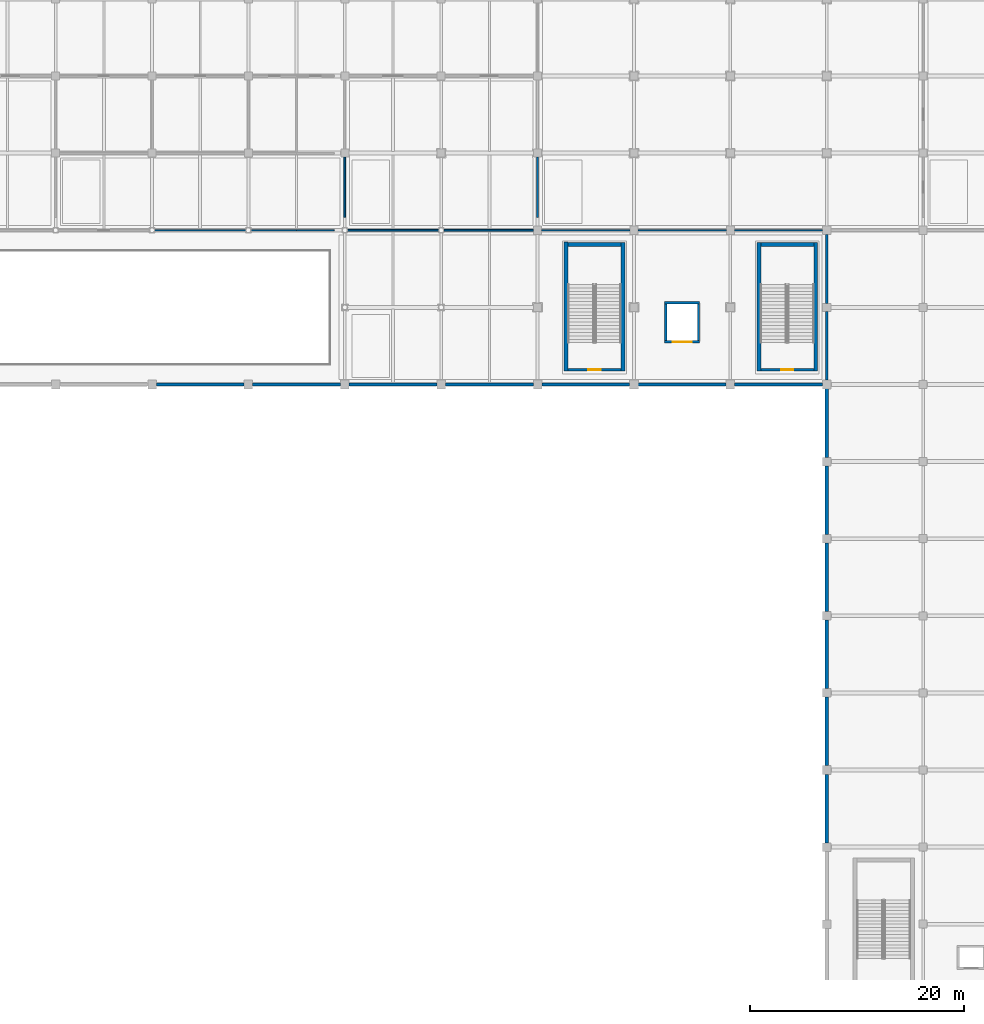
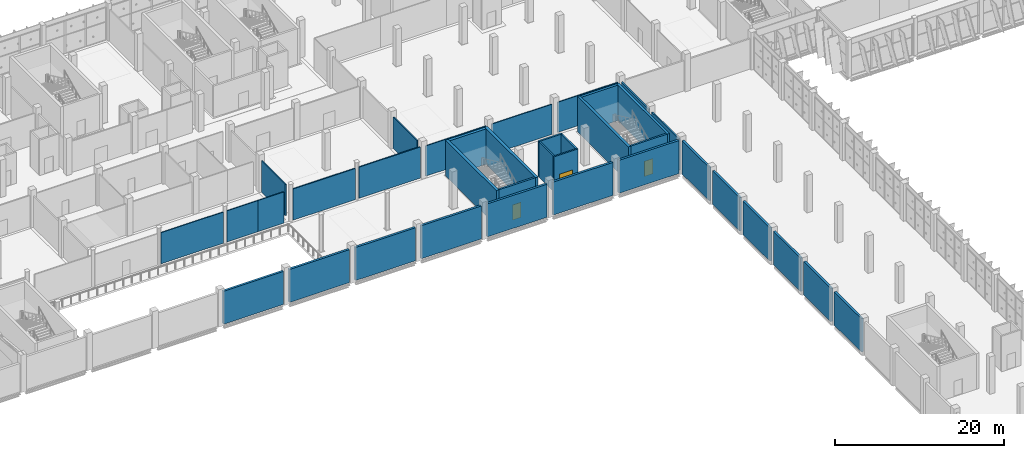
# One storey, part 134 of 189: 37 walls, 3 doors, 3 openings.
"""IFC4 building model written with IfcOpenShell, lengths in metres."""

import ifcopenshell
import ifcopenshell.guid

model = None  # the IFC model being written
_history = None  # IfcOwnerHistory: only IFC2X3 demands one
_inside = {}  # id of a spatial element -> (the spatial element, [elements in it])
_under = {}  # id of a project, library or spatial element -> (it, [spatial elements below it])
_declared = {}  # id of a project -> (the project, [libraries it declares])
_typed = {}  # id of a type object -> (the type object, [elements of that type])
_made_of = {}  # id of a material, layer set ... -> (it, [elements and type objects made of it])


def new_model(schema):
    """Start an empty IFC model of exactly this schema.

    Asked for "IFC4X3", IfcOpenShell would pick the latest addendum, in which some entities
    have other attributes; the version numbers below select the first issue.
    IFC2X3 requires an IfcOwnerHistory on every rooted entity: one is made here for all.
    """
    global model, _history
    if schema == "IFC4X3":
        model = ifcopenshell.file(schema_version=(4, 3, 0, 0))
    else:
        model = ifcopenshell.file(schema=schema)
    _inside.clear()
    _under.clear()
    _declared.clear()
    _typed.clear()
    _made_of.clear()
    _history = None
    if model.schema == "IFC2X3":
        org = make("IfcOrganization", Name="unknown")
        user = make(
            "IfcPersonAndOrganization",
            ThePerson=make("IfcPerson", FamilyName="unknown"),
            TheOrganization=org,
        )
        app = make(
            "IfcApplication",
            ApplicationDeveloper=org,
            Version="unknown",
            ApplicationFullName="unknown",
            ApplicationIdentifier="unknown",
        )
        _history = make(
            "IfcOwnerHistory",
            OwningUser=user,
            OwningApplication=app,
            ChangeAction="ADDED",
            CreationDate=0,
        )
    return model


def make(cls, **values):
    """One entity of the class cls with the attributes given. An attribute that is None is left unset."""
    return model.create_entity(
        cls, **{name: value for name, value in values.items() if value is not None}
    )


def rooted(cls, **values):
    """An entity with a GlobalId (a new one), such as an element, a storey or a relation."""
    return make(cls, GlobalId=ifcopenshell.guid.new(), OwnerHistory=_history, **values)


def si_unit(unit_type, name, prefix=None):
    """IfcSIUnit, for example si_unit("LENGTHUNIT", "METRE", prefix="MILLI")."""
    return make("IfcSIUnit", UnitType=unit_type, Prefix=prefix, Name=name)


def assignment(units):
    """IfcUnitAssignment: the units of a project."""
    return None if units is None else make("IfcUnitAssignment", Units=units)


def point(xyz):
    """IfcCartesianPoint."""
    return None if xyz is None else make("IfcCartesianPoint", Coordinates=xyz)


def direction(xyz):
    """IfcDirection."""
    return None if xyz is None else make("IfcDirection", DirectionRatios=xyz)


def frame(location, z_axis=None, x_axis=None):
    """IfcAxis2Placement3D, a coordinate frame: its origin and axes. An axis left out is left unset."""
    return make(
        "IfcAxis2Placement3D",
        Location=point(location),
        Axis=direction(z_axis),
        RefDirection=direction(x_axis),
    )


def frame_2d(location, x_axis=None):
    """IfcAxis2Placement2D, a coordinate frame in the plane: its origin and x axis."""
    return make(
        "IfcAxis2Placement2D", Location=point(location), RefDirection=direction(x_axis)
    )


def origin():
    """The frame at (0, 0, 0) with its axes left unset."""
    return frame((0.0, 0.0, 0.0))


def place(relative_to, where):
    """IfcLocalPlacement: puts the frame where relative to a parent placement (None: the world)."""
    return make(
        "IfcLocalPlacement", PlacementRelTo=relative_to, RelativePlacement=where
    )


def context(
    kind, dimensions, precision=None, world=None, true_north=None, identifier=None
):
    """IfcGeometricRepresentationContext, for example the 3D "Model" context."""
    return make(
        "IfcGeometricRepresentationContext",
        ContextIdentifier=identifier,
        ContextType=kind,
        CoordinateSpaceDimension=dimensions,
        Precision=precision,
        WorldCoordinateSystem=world,
        TrueNorth=true_north,
    )


def subcontext(parent, identifier, kind, view, scale=None):
    """IfcGeometricRepresentationSubContext, for example "Body" below "Model"."""
    return make(
        "IfcGeometricRepresentationSubContext",
        ContextIdentifier=identifier,
        ContextType=kind,
        ParentContext=parent,
        TargetScale=scale,
        TargetView=view,
    )


def project(units=None, contexts=None):
    """IfcProject with its units and contexts."""
    return rooted(
        "IfcProject",
        Name="project",
        RepresentationContexts=contexts,
        UnitsInContext=assignment(units),
    )


def spatial(cls, under=None, at=None, **own):
    """A site, building, storey or space (cls), placed at a placement, below another one or the project."""
    s = rooted(cls, ObjectPlacement=at, **own)
    if under is not None:
        _under.setdefault(under.id(), (under, []))[1].append(s)
    return s


def profile(cls, at=None, kind="AREA", **sizes):
    """A parametric profile (cls). Its sizes go by their IFC names, for example OverallWidth=200.0."""
    return make(cls, ProfileType=kind, Position=at, **sizes)


def rectangle(**sizes):
    """IfcRectangleProfileDef."""
    return profile("IfcRectangleProfileDef", **sizes)


def extrude(swept, where, along, depth):
    """IfcExtrudedAreaSolid: the profile swept, set in the frame where, extruded along a direction by depth."""
    return make(
        "IfcExtrudedAreaSolid",
        SweptArea=swept,
        Position=where,
        ExtrudedDirection=direction(along),
        Depth=depth,
    )


def shape(context_of_items, identifier, shape_type, items):
    """IfcShapeRepresentation: the items that make up one representation, for example the "Body"."""
    return make(
        "IfcShapeRepresentation",
        ContextOfItems=context_of_items,
        RepresentationIdentifier=identifier,
        RepresentationType=shape_type,
        Items=items,
    )


def material(Name=None, Category=None):
    """IfcMaterial."""
    return make("IfcMaterial", Name=Name, Category=Category)


def layer(
    of_material, thickness, ventilated=None, Name=None, Category=None, Priority=None
):
    """IfcMaterialLayer: one layer of a wall or slab, of a material (None: an air gap)."""
    return make(
        "IfcMaterialLayer",
        Material=of_material,
        LayerThickness=thickness,
        IsVentilated=ventilated,
        Name=Name,
        Category=Category,
        Priority=Priority,
    )


def layer_set(layers, Name=None):
    """IfcMaterialLayerSet."""
    return make("IfcMaterialLayerSet", MaterialLayers=layers, LayerSetName=Name)


def made_of(thing, what):
    """Note that an element or type object is made of a material, layer set ...; save() writes the relation."""
    if what is not None:
        _made_of.setdefault(what.id(), (what, []))[1].append(thing)
    return thing


def type_object(cls, material=None, **own):
    """A type object (cls), such as IfcWallType, which elements share."""
    return made_of(rooted(cls, **own), material)


def element(
    cls,
    number,
    at=None,
    inside=None,
    cuts=None,
    type_object=None,
    material=None,
    context=None,
    identifier="Body",
    shape_type=None,
    held_by="IfcProductDefinitionShape",
    body=None,
    shapes=None,
    **own,
):
    """One element of the class cls, such as IfcWall. Its Tag is "e" and its number.

    at: its placement. inside: the storey or other place that contains it. cuts: it is an
    opening in that element (IfcRelVoidsElement). A single representation is given by context,
    identifier, shape_type and body (its items); several are given by shapes. held_by: the class
    of the entity that holds the representations. save() writes the other relations.
    """
    e = rooted(cls, Tag="e%d" % number, ObjectPlacement=at, **own)
    if body is not None:
        shapes = [shape(context, identifier, shape_type, body)]
    if shapes is not None:
        e.Representation = make(held_by, Representations=shapes)
    if inside is not None:
        _inside.setdefault(inside.id(), (inside, []))[1].append(e)
    if cuts is not None:
        rooted(
            "IfcRelVoidsElement", RelatingBuildingElement=cuts, RelatedOpeningElement=e
        )
    if type_object is not None:
        _typed.setdefault(type_object.id(), (type_object, []))[1].append(e)
    return made_of(e, material)


def fill(opening, filler):
    """IfcRelFillsElement: the door or window that sits in an opening."""
    return rooted(
        "IfcRelFillsElement",
        RelatingOpeningElement=opening,
        RelatedBuildingElement=filler,
    )


def aggregate(whole, parts):
    """IfcRelAggregates: a whole, such as a stair, and the parts it consists of."""
    return rooted("IfcRelAggregates", RelatingObject=whole, RelatedObjects=parts)


def save(model, path):
    """Write the relations noted so far, then the file.

    IfcRelAggregates (storeys below a building ...), IfcRelContainedInSpatialStructure (elements
    in a storey), IfcRelDefinesByType, IfcRelAssociatesMaterial and IfcRelDeclares: one each for
    every whole, place, type object, material and project.
    """
    for whole, parts in _under.values():
        aggregate(whole, parts)
    for where, things in _inside.values():
        rooted(
            "IfcRelContainedInSpatialStructure",
            RelatedElements=things,
            RelatingStructure=where,
        )
    for kind, things in _typed.values():
        rooted("IfcRelDefinesByType", RelatedObjects=things, RelatingType=kind)
    for what, things in _made_of.values():
        rooted("IfcRelAssociatesMaterial", RelatedObjects=things, RelatingMaterial=what)
    for by, libraries in _declared.values():
        rooted("IfcRelDeclares", RelatingContext=by, RelatedDefinitions=libraries)
    model.write(path)


model = new_model("IFC4")

# Units and contexts
model_context = context("Model", 3, precision=1e-05, world=origin(), true_north=direction((0.0, 1.0)))
body_context = subcontext(model_context, "Body", "Model", "MODEL_VIEW")
ifc_project = project(units=[si_unit("LENGTHUNIT", "METRE"), si_unit("AREAUNIT", "SQUARE_METRE"), si_unit("VOLUMEUNIT", "CUBIC_METRE"), si_unit("PLANEANGLEUNIT", "RADIAN"), si_unit("MASSUNIT", "GRAM", prefix="KILO")], contexts=[model_context])

# Site, building, storey
site_placement = place(None, origin())
site = spatial("IfcSite", under=ifc_project, at=site_placement, CompositionType="ELEMENT")
building_placement = place(site_placement, origin())
building = spatial("IfcBuilding", under=site, at=building_placement, Name="Celestram Park Convention Centre", CompositionType="ELEMENT")
storey_placement = place(building_placement, frame((0.0, 0.0, 5.39990234375)))
storey = spatial("IfcBuildingStorey", under=building, at=storey_placement, Name="L01", CompositionType="ELEMENT", Elevation=5.39990234375)

# Walls
ifc_material_1 = material(Name="Double-Stud Acoustic Gypsum Assembly", Category="gypsum")
ifc_layer_1 = layer(ifc_material_1, 0.199951171875)
ifc_layer_set_1 = layer_set([ifc_layer_1], Name="Double-Stud Acoustic Gypsum Assembly")
wall_type_1 = type_object("IfcWallType", Name="ARC-WL-ACO200", PredefinedType="PARTITIONING", material=ifc_layer_set_1)
wall_1_placement = place(storey_placement, frame((126.0, 108.39794921875, 0.0), z_axis=(0.0, 0.0, 1.0), x_axis=(0.0, 1.0, 0.0)))
element("IfcWall", 1, at=wall_1_placement, inside=storey, type_object=wall_type_1, Name="Interior partition WL-L01-IN0765", PredefinedType="PARTITIONING", context=body_context, shape_type="SweptSolid", body=[
    extrude(rectangle(XDim=6.428955078125, YDim=0.199951171875, at=frame_2d((3.21435546875, 0.0))), origin(), (0.0, 0.0, 1.0), 4.508056640625),
])
wall_2_placement = place(storey_placement, frame((126.0, 115.572998046875, 0.0), z_axis=(0.0, 0.0, 1.0), x_axis=(0.0, 1.0, 0.0)))
element("IfcWall", 2, at=wall_2_placement, inside=storey, type_object=wall_type_1, Name="Interior partition WL-L01-IN0766", PredefinedType="PARTITIONING", context=body_context, shape_type="SweptSolid", body=[
    extrude(rectangle(XDim=6.4541015625, YDim=0.199951171875, at=frame_2d((3.22705078125, 0.0))), origin(), (0.0, 0.0, 1.0), 4.508056640625),
])

# Wall, opening, door
ifc_material_2 = material(Name="Concrete Block Masonry C25/30", Category="masonry")
ifc_layer_2 = layer(ifc_material_2, 0.25)
ifc_layer_set_2 = layer_set([ifc_layer_2], Name="Concrete Block Masonry C25/30")
wall_type_2 = type_object("IfcWallType", Name="ARC-WL-COR250", PredefinedType="STANDARD", material=ifc_layer_set_2)
wall_3_placement = place(storey_placement, frame((101.840087890625, 109.375, 0.0), z_axis=(0.0, 0.0, 1.0), x_axis=(1.0, 0.0, 0.0)))
wall_3 = element("IfcWall", 3, at=wall_3_placement, inside=storey, type_object=wall_type_2, Name="Core C3 stair entrance wall", PredefinedType="STANDARD", context=body_context, shape_type="SweptSolid", body=[
    extrude(rectangle(XDim=4.9599609375, YDim=0.25, at=frame_2d((2.47998046875, 0.0))), origin(), (0.0, 0.0, 1.0), 5.1201171875),
])
opening_1_placement = place(wall_3_placement, frame((1.905029296875, 0.0, 0.0)))
opening_1 = element("IfcOpeningElement", 4, at=opening_1_placement, cuts=wall_3, Name="Opening D-ST1", PredefinedType="OPENING", context=body_context, shape_type="SweptSolid", body=[
    extrude(rectangle(XDim=1.14990234375, YDim=2.199951171875, at=frame_2d((0.574951171875, 1.10009765625))), frame((0.0, 0.135009765625, 0.0), z_axis=(0.0, -1.0, 0.0), x_axis=(1.0, 0.0, 0.0)), (0.0, 0.0, 1.0), 0.27001953125),
])
ifc_material_3 = material(Name="Fire-Rated Hollow Metal Steel ASTM A653", Category="steel")
door_type_1 = type_object("IfcDoorType", Name="ARC-DR-ST115", OperationType="NOTDEFINED", PredefinedType="DOOR", material=ifc_material_3)
door_1_placement = place(opening_1_placement, origin())
door_1 = element("IfcDoor", 5, at=door_1_placement, inside=storey, type_object=door_type_1, Name="Exit stair ST-03 fire door", OperationType="SINGLE_SWING_LEFT", OverallHeight=2.199951171875, OverallWidth=1.14990234375, PredefinedType="DOOR", context=body_context, shape_type="SweptSolid", body=[
    extrude(rectangle(XDim=1.14990234375, YDim=2.199951171875, at=frame_2d((0.574951171875, 1.10009765625))), frame((0.0, 0.02490234375, 0.0), z_axis=(0.0, -1.0, 0.0), x_axis=(1.0, 0.0, 0.0)), (0.0, 0.0, 1.0), 0.050048828125),
])
fill(opening_1, door_1)

wall_4_placement = place(storey_placement, frame((119.840087890625, 109.375, 0.0), z_axis=(0.0, 0.0, 1.0), x_axis=(1.0, 0.0, 0.0)))
wall_4 = element("IfcWall", 6, at=wall_4_placement, inside=storey, type_object=wall_type_2, Name="Core S20 stair entrance wall", PredefinedType="STANDARD", context=body_context, shape_type="SweptSolid", body=[
    extrude(rectangle(XDim=4.9599609375, YDim=0.25, at=frame_2d((2.47998046875, 0.0))), origin(), (0.0, 0.0, 1.0), 5.1201171875),
])
opening_2_placement = place(wall_4_placement, frame((1.905029296875, 0.0, 0.0)))
opening_2 = element("IfcOpeningElement", 7, at=opening_2_placement, cuts=wall_4, Name="Opening D-ST1", PredefinedType="OPENING", context=body_context, shape_type="SweptSolid", body=[
    extrude(rectangle(XDim=1.14990234375, YDim=2.199951171875, at=frame_2d((0.574951171875, 1.10009765625))), frame((0.0, 0.135009765625, 0.0), z_axis=(0.0, -1.0, 0.0), x_axis=(1.0, 0.0, 0.0)), (0.0, 0.0, 1.0), 0.27001953125),
])
door_2_placement = place(opening_2_placement, origin())
door_2 = element("IfcDoor", 8, at=door_2_placement, inside=storey, type_object=door_type_1, Name="Exit stair ST-20 fire door", OperationType="SINGLE_SWING_LEFT", OverallHeight=2.199951171875, OverallWidth=1.14990234375, PredefinedType="DOOR", context=body_context, shape_type="SweptSolid", body=[
    extrude(rectangle(XDim=1.14990234375, YDim=2.199951171875, at=frame_2d((0.574951171875, 1.10009765625))), frame((0.0, 0.02490234375, 0.0), z_axis=(0.0, -1.0, 0.0), x_axis=(1.0, 0.0, 0.0)), (0.0, 0.0, 1.0), 0.050048828125),
])
fill(opening_2, door_2)

# Walls
ifc_material_4 = material(Name="Precast Concrete C40/50", Category="concrete")
ifc_layer_3 = layer(ifc_material_4, 0.300048828125)
ifc_layer_set_3 = layer_set([ifc_layer_3], Name="Precast Concrete C40/50")
wall_type_3 = type_object("IfcWallType", Name="ARC-WL-EXT300", PredefinedType="STANDARD", material=ifc_layer_set_3)
for number, where, z_axis, x_axis, name in (
    (9, (126.0, 65.197998046875, 0.0), (0.0, 0.0, 1.0), (0.0, 1.0, 0.0), "Acoustic hall overlook wall WL-L01-EW088"),
    (10, (126.0, 72.39794921875, 0.0), (0.0, 0.0, 1.0), (0.0, 1.0, 0.0), "Acoustic hall overlook wall WL-L01-EW089"),
    (11, (126.0, 79.597900390625, 0.0), (0.0, 0.0, 1.0), (0.0, 1.0, 0.0), "Acoustic hall overlook wall WL-L01-EW090"),
):
    element("IfcWall", number, at=place(storey_placement, frame(where, z_axis=z_axis, x_axis=x_axis)), inside=storey, type_object=wall_type_3, Name=name, PredefinedType="STANDARD", context=body_context, shape_type="SweptSolid", body=[
        extrude(rectangle(XDim=6.404052734375, YDim=0.300048828125, at=frame_2d((3.2021484375, 0.0))), origin(), (0.0, 0.0, 1.0), 4.820068359375),
    ])
wall_5_placement = place(storey_placement, frame((126.0, 86.798095703125, 0.0), z_axis=(0.0, 0.0, 1.0), x_axis=(0.0, 1.0, 0.0)))
element("IfcWall", 12, at=wall_5_placement, inside=storey, type_object=wall_type_3, Name="Acoustic hall overlook wall WL-L01-EW091", PredefinedType="STANDARD", context=body_context, shape_type="SweptSolid", body=[
    extrude(rectangle(XDim=6.40380859375, YDim=0.300048828125, at=frame_2d((3.201904296875, 0.0))), origin(), (0.0, 0.0, 1.0), 4.820068359375),
])
for number, where, z_axis, x_axis, name in (
    (13, (126.0, 93.998046875, 0.0), (0.0, 0.0, 1.0), (0.0, 1.0, 0.0), "Acoustic hall overlook wall WL-L01-EW092"),
    (14, (126.0, 101.197998046875, 0.0), (0.0, 0.0, 1.0), (0.0, 1.0, 0.0), "Acoustic hall overlook wall WL-L01-EW093"),
):
    element("IfcWall", number, at=place(storey_placement, frame(where, z_axis=z_axis, x_axis=x_axis)), inside=storey, type_object=wall_type_3, Name=name, PredefinedType="STANDARD", context=body_context, shape_type="SweptSolid", body=[
        extrude(rectangle(XDim=6.404052734375, YDim=0.300048828125, at=frame_2d((3.2021484375, 0.0))), origin(), (0.0, 0.0, 1.0), 4.820068359375),
    ])
for number, where, z_axis, x_axis, name in (
    (15, (125.60205078125, 108.0, 0.0), (0.0, 0.0, 1.0), (-1.0, 0.0, 0.0), "Acoustic hall overlook wall WL-L01-EW094"),
    (16, (116.60205078125, 108.0, 0.0), (0.0, 0.0, 1.0), (-1.0, 0.0, 0.0), "Acoustic hall overlook wall WL-L01-EW095"),
    (17, (107.60205078125, 108.0, 0.0), (0.0, 0.0, 1.0), (-1.0, 0.0, 0.0), "Acoustic hall overlook wall WL-L01-EW096"),
    (18, (98.60205078125, 108.0, 0.0), (0.0, 0.0, 1.0), (-1.0, 0.0, 0.0), "Acoustic hall overlook wall WL-L01-EW097"),
    (19, (89.60205078125, 108.0, 0.0), (0.0, 0.0, 1.0), (-1.0, 0.0, 0.0), "Acoustic hall overlook wall WL-L01-EW098"),
    (20, (80.60205078125, 108.0, 0.0), (0.0, 0.0, 1.0), (-1.0, 0.0, 0.0), "Acoustic hall overlook wall WL-L01-EW099"),
    (21, (71.60205078125, 108.0, 0.0), (0.0, 0.0, 1.0), (-1.0, 0.0, 0.0), "Acoustic hall overlook wall WL-L01-EW100"),
):
    element("IfcWall", number, at=place(storey_placement, frame(where, z_axis=z_axis, x_axis=x_axis)), inside=storey, type_object=wall_type_3, Name=name, PredefinedType="STANDARD", context=body_context, shape_type="SweptSolid", body=[
        extrude(rectangle(XDim=8.2041015625, YDim=0.300048828125, at=frame_2d((4.10205078125, 0.0))), origin(), (0.0, 0.0, 1.0), 4.76416015625),
    ])
ifc_material_5 = material(Name="Standard Gypsum & Steel Stud 120 mm", Category="steel")
ifc_layer_4 = layer(ifc_material_5, 0.1201171875)
ifc_layer_set_4 = layer_set([ifc_layer_4], Name="Standard Gypsum & Steel Stud 120 mm")
wall_type_4 = type_object("IfcWallType", Name="ARC-WL-PRT120", PredefinedType="PARTITIONING", material=ifc_layer_set_4)
wall_6_placement = place(storey_placement, frame((63.25, 122.39990234375, 0.0), z_axis=(0.0, 0.0, 1.0), x_axis=(1.0, 0.0, 0.0)))
element("IfcWall", 22, at=wall_6_placement, inside=storey, type_object=wall_type_4, Name="Interior partition WL-L01-IN0697", PredefinedType="PARTITIONING", context=body_context, shape_type="SweptSolid", body=[
    extrude(rectangle(XDim=8.5, YDim=0.1201171875, at=frame_2d((4.25, 0.0))), origin(), (0.0, 0.0, 1.0), 4.498046875),
])
wall_7_placement = place(storey_placement, frame((72.25, 122.39990234375, 0.0), z_axis=(0.0, 0.0, 1.0), x_axis=(1.0, 0.0, 0.0)))
element("IfcWall", 23, at=wall_7_placement, inside=storey, type_object=wall_type_4, Name="Interior partition WL-L01-IN0698", PredefinedType="PARTITIONING", context=body_context, shape_type="SweptSolid", body=[
    extrude(rectangle(XDim=4.25, YDim=0.1201171875, at=frame_2d((2.125, 0.0))), origin(), (0.0, 0.0, 1.0), 4.498046875),
])
wall_8_placement = place(storey_placement, frame((76.5, 122.39990234375, 0.0), z_axis=(0.0, 0.0, 1.0), x_axis=(1.0, 0.0, 0.0)))
element("IfcWall", 24, at=wall_8_placement, inside=storey, type_object=wall_type_4, Name="Interior partition WL-L01-IN0699", PredefinedType="PARTITIONING", context=body_context, shape_type="SweptSolid", body=[
    extrude(rectangle(XDim=3.5, YDim=0.1201171875, at=frame_2d((1.75, 0.0))), origin(), (0.0, 0.0, 1.0), 4.498046875),
])
for number, where, z_axis, x_axis, name in (
    (25, (99.373046875, 122.39990234375, 0.0), (0.0, 0.0, 1.0), (1.0, 0.0, 0.0), "Interior partition WL-L01-IN0702"),
    (26, (108.373046875, 122.39990234375, 0.0), (0.0, 0.0, 1.0), (1.0, 0.0, 0.0), "Interior partition WL-L01-IN0703"),
    (27, (117.373046875, 122.39990234375, 0.0), (0.0, 0.0, 1.0), (1.0, 0.0, 0.0), "Interior partition WL-L01-IN0704"),
):
    element("IfcWall", number, at=place(storey_placement, frame(where, z_axis=z_axis, x_axis=x_axis)), inside=storey, type_object=wall_type_4, Name=name, PredefinedType="PARTITIONING", context=body_context, shape_type="SweptSolid", body=[
        extrude(rectangle(XDim=8.25390625, YDim=0.1201171875, at=frame_2d((4.126953125, 0.0))), origin(), (0.0, 0.0, 1.0), 4.358154296875),
    ])
ifc_material_6 = material(Name="Acoustic Gypsum & Steel Stud 160 mm", Category="steel")
ifc_layer_5 = layer(ifc_material_6, 0.159912109375)
ifc_layer_set_5 = layer_set([ifc_layer_5], Name="Acoustic Gypsum & Steel Stud 160 mm")
wall_type_5 = type_object("IfcWallType", Name="ARC-WL-PRT160", PredefinedType="PARTITIONING", material=ifc_layer_set_5)
wall_9_placement = place(storey_placement, frame((81.25, 122.39990234375, 0.0), z_axis=(0.0, 0.0, 1.0), x_axis=(1.0, 0.0, 0.0)))
element("IfcWall", 28, at=wall_9_placement, inside=storey, type_object=wall_type_5, Name="Interior partition WL-L01-IN0700", PredefinedType="PARTITIONING", context=body_context, shape_type="SweptSolid", body=[
    extrude(rectangle(XDim=8.5, YDim=0.159912109375, at=frame_2d((4.25, 0.0))), origin(), (0.0, 0.0, 1.0), 4.498046875),
])
wall_10_placement = place(storey_placement, frame((90.25, 122.39990234375, 0.0), z_axis=(0.0, 0.0, 1.0), x_axis=(1.0, 0.0, 0.0)))
element("IfcWall", 29, at=wall_10_placement, inside=storey, type_object=wall_type_5, Name="Interior partition WL-L01-IN0701", PredefinedType="PARTITIONING", context=body_context, shape_type="SweptSolid", body=[
    extrude(rectangle(XDim=8.376953125, YDim=0.159912109375, at=frame_2d((4.1884765625, 0.0))), origin(), (0.0, 0.0, 1.0), 4.498046875),
])
for number, where, z_axis, x_axis, name in (
    (30, (81.0, 123.60009765625, 0.0), (0.0, 0.0, 1.0), (0.0, 1.0, 0.0), "Interior partition WL-L01-IN0755"),
    (31, (99.0, 123.60009765625, 0.0), (0.0, 0.0, 1.0), (0.0, 1.0, 0.0), "Interior partition WL-L01-IN0761"),
):
    element("IfcWall", number, at=place(storey_placement, frame(where, z_axis=z_axis, x_axis=x_axis)), inside=storey, type_object=wall_type_5, Name=name, PredefinedType="PARTITIONING", context=body_context, shape_type="SweptSolid", body=[
        extrude(rectangle(XDim=5.626953125, YDim=0.159912109375, at=frame_2d((2.8134765625, 0.0))), origin(), (0.0, 0.0, 1.0), 4.508056640625),
    ])

# Wall, opening, door
ifc_layer_6 = layer(ifc_material_2, 0.219970703125)
ifc_layer_set_6 = layer_set([ifc_layer_6], Name="Concrete Block Masonry C25/30")
wall_type_6 = type_object("IfcWallType", Name="ARC-WL-SHF220", PredefinedType="STANDARD", material=ifc_layer_set_6)
wall_11_placement = place(storey_placement, frame((110.8701171875, 111.97998046875, 0.0), z_axis=(0.0, 0.0, 1.0), x_axis=(1.0, 0.0, 0.0)))
wall_11 = element("IfcWall", 32, at=wall_11_placement, inside=storey, type_object=wall_type_6, Name="Lift LG-01 shaft wall S", PredefinedType="STANDARD", context=body_context, shape_type="SweptSolid", body=[
    extrude(rectangle(XDim=3.259765625, YDim=0.219970703125, at=frame_2d((1.6298828125, 0.0))), origin(), (0.0, 0.0, 1.0), 5.1201171875),
])
opening_3_placement = place(wall_11_placement, frame((0.72998046875, 0.0, 0.0)))
opening_3 = element("IfcOpeningElement", 33, at=opening_3_placement, cuts=wall_11, Name="Opening LD-02", PredefinedType="OPENING", context=body_context, shape_type="SweptSolid", body=[
    extrude(rectangle(XDim=1.800048828125, YDim=2.35009765625, at=frame_2d((0.89990234375, 1.175048828125))), frame((0.0, 0.119873046875, 0.0), z_axis=(0.0, -1.0, 0.0), x_axis=(1.0, 0.0, 0.0)), (0.0, 0.0, 1.0), 0.239990234375),
])
ifc_material_7 = material(Name="Heavy-Duty Stainless Steel AISI 304", Category="steel")
door_type_2 = type_object("IfcDoorType", Name="ARC-DR-LFG180", OperationType="NOTDEFINED", PredefinedType="DOOR", material=ifc_material_7)
door_3_placement = place(opening_3_placement, origin())
door_3 = element("IfcDoor", 34, at=door_3_placement, inside=storey, type_object=door_type_2, Name="Lift LG-01 sliding landing door", OperationType="DOUBLE_DOOR_SLIDING", OverallHeight=2.35009765625, OverallWidth=1.800048828125, PredefinedType="DOOR", context=body_context, shape_type="SweptSolid", body=[
    extrude(rectangle(XDim=1.800048828125, YDim=2.35009765625, at=frame_2d((0.89990234375, 1.175048828125))), frame((0.0, 0.02490234375, 0.0), z_axis=(0.0, -1.0, 0.0), x_axis=(1.0, 0.0, 0.0)), (0.0, 0.0, 1.0), 0.050048828125),
])
fill(opening_3, door_3)

# Walls
wall_12_placement = place(storey_placement, frame((114.1298828125, 115.6201171875, 0.0), z_axis=(0.0, 0.0, 1.0), x_axis=(-1.0, 0.0, 0.0)))
element("IfcWall", 35, at=wall_12_placement, inside=storey, type_object=wall_type_6, Name="Lift LG-01 shaft wall N", PredefinedType="STANDARD", context=body_context, shape_type="SweptSolid", body=[
    extrude(rectangle(XDim=3.259765625, YDim=0.219970703125, at=frame_2d((1.6298828125, 0.0))), origin(), (0.0, 0.0, 1.0), 5.1201171875),
])
for number, where, z_axis, x_axis, name in (
    (36, (110.97998046875, 115.510009765625, 0.0), (0.0, 0.0, 1.0), (0.0, -1.0, 0.0), "Lift LG-01 shaft wall W"),
    (37, (114.02001953125, 112.090087890625, 0.0), (0.0, 0.0, 1.0), (0.0, 1.0, 0.0), "Lift LG-01 shaft wall E"),
):
    element("IfcWall", number, at=place(storey_placement, frame(where, z_axis=z_axis, x_axis=x_axis)), inside=storey, type_object=wall_type_6, Name=name, PredefinedType="STANDARD", context=body_context, shape_type="SweptSolid", body=[
        extrude(rectangle(XDim=3.419921875, YDim=0.219970703125, at=frame_2d((1.7099609375, 0.0))), origin(), (0.0, 0.0, 1.0), 5.1201171875),
    ])
ifc_material_8 = material(Name="Concrete C40/50", Category="concrete")
ifc_layer_7 = layer(ifc_material_8, 0.340087890625)
ifc_layer_set_7 = layer_set([ifc_layer_7], Name="Concrete C40/50")
wall_type_7 = type_object("IfcWallType", Name="STR-WL-SHR340", PredefinedType="SHEAR", material=ifc_layer_set_7)
for number, where, z_axis, x_axis, name in (
    (38, (119.669921875, 109.25, 0.0), (0.0, 0.0, 1.0), (0.0, 1.0, 0.0), "Core S20 shear wall L"),
    (39, (124.969970703125, 121.239990234375, 0.0), (0.0, 0.0, 1.0), (0.0, -1.0, 0.0), "Core S20 shear wall R"),
):
    element("IfcWall", number, at=place(storey_placement, frame(where, z_axis=z_axis, x_axis=x_axis)), inside=storey, type_object=wall_type_7, Name=name, PredefinedType="SHEAR", context=body_context, shape_type="SweptSolid", body=[
        extrude(rectangle(XDim=11.989990234375, YDim=0.340087890625, at=frame_2d((5.9951171875, 0.0))), origin(), (0.0, 0.0, 1.0), 5.1201171875),
    ])
wall_13_placement = place(storey_placement, frame((119.840087890625, 121.070068359375, 0.0), z_axis=(0.0, 0.0, 1.0), x_axis=(1.0, 0.0, 0.0)))
element("IfcWall", 40, at=wall_13_placement, inside=storey, type_object=wall_type_7, Name="Core S20 shear wall F", PredefinedType="SHEAR", context=body_context, shape_type="SweptSolid", body=[
    extrude(rectangle(XDim=4.9599609375, YDim=0.340087890625, at=frame_2d((2.47998046875, 0.0))), origin(), (0.0, 0.0, 1.0), 5.1201171875),
])
ifc_layer_8 = layer(ifc_material_8, 0.3798828125)
ifc_layer_set_8 = layer_set([ifc_layer_8], Name="Concrete C40/50")
wall_type_8 = type_object("IfcWallType", Name="STR-WL-SHR380", PredefinedType="SHEAR", material=ifc_layer_set_8)
for number, where, z_axis, x_axis, name in (
    (41, (101.64990234375, 109.25, 0.0), (0.0, 0.0, 1.0), (0.0, 1.0, 0.0), "Core C3 shear wall L"),
    (42, (106.989990234375, 121.280029296875, 0.0), (0.0, 0.0, 1.0), (0.0, -1.0, 0.0), "Core C3 shear wall R"),
):
    element("IfcWall", number, at=place(storey_placement, frame(where, z_axis=z_axis, x_axis=x_axis)), inside=storey, type_object=wall_type_8, Name=name, PredefinedType="SHEAR", context=body_context, shape_type="SweptSolid", body=[
        extrude(rectangle(XDim=12.030029296875, YDim=0.3798828125, at=frame_2d((6.01513671875, 0.0))), origin(), (0.0, 0.0, 1.0), 5.1201171875),
    ])
wall_14_placement = place(storey_placement, frame((101.840087890625, 121.090087890625, 0.0), z_axis=(0.0, 0.0, 1.0), x_axis=(1.0, 0.0, 0.0)))
element("IfcWall", 43, at=wall_14_placement, inside=storey, type_object=wall_type_8, Name="Core C3 shear wall F", PredefinedType="SHEAR", context=body_context, shape_type="SweptSolid", body=[
    extrude(rectangle(XDim=4.9599609375, YDim=0.3798828125, at=frame_2d((2.47998046875, 0.0))), origin(), (0.0, 0.0, 1.0), 5.1201171875),
])

save(model, "model.ifc")
